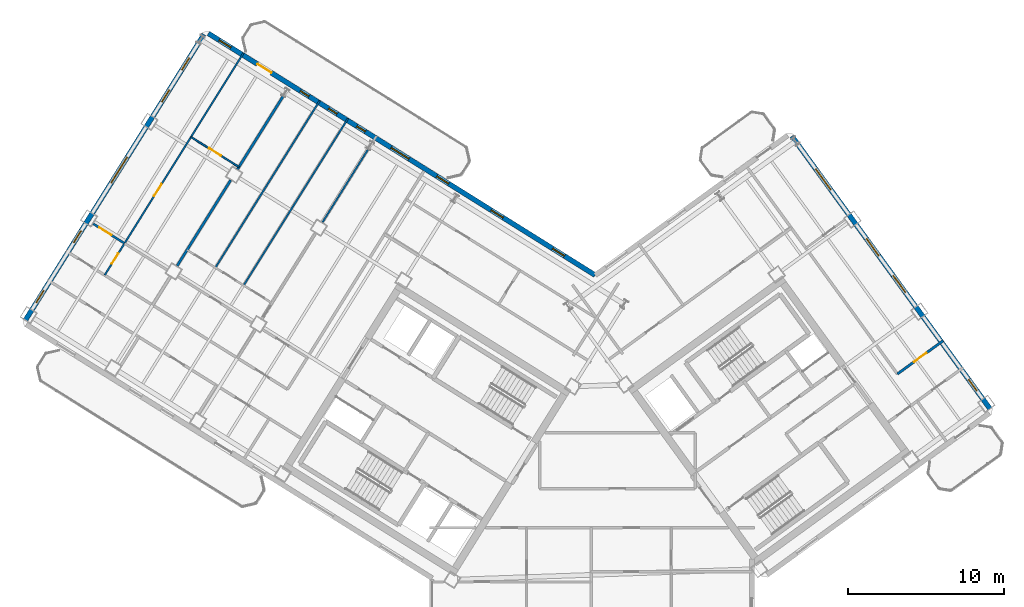
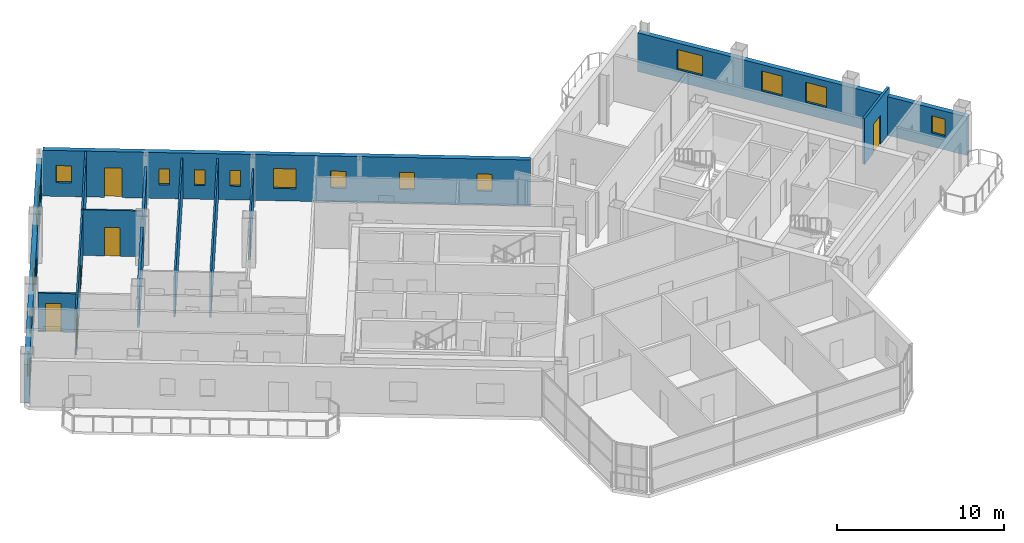
# One storey, part 15 of 20: 17 windows, 12 walls, 6 doors, 23 openings.
"""IFC4 building model written with IfcOpenShell, lengths in metres."""

from ifc_helpers import new_model, si_unit, direction, frame, frame_2d, origin, place, context, subcontext, project, spatial, rectangle, extrude, source, transform, mapped, material, layer, layer_set, type_object, element, fill, save


model = new_model("IFC4")

# Units and contexts
model_context = context("Model", 3, precision=1e-05, world=origin(), true_north=direction((0.0, 1.0)))
body_context = subcontext(model_context, "Body", "Model", "MODEL_VIEW")
ifc_project = project(units=[si_unit("LENGTHUNIT", "METRE"), si_unit("AREAUNIT", "SQUARE_METRE"), si_unit("VOLUMEUNIT", "CUBIC_METRE"), si_unit("PLANEANGLEUNIT", "RADIAN"), si_unit("MASSUNIT", "GRAM", prefix="KILO")], contexts=[model_context])

# Site, building, storey
site_placement = place(None, origin())
site = spatial("IfcSite", under=ifc_project, at=site_placement, CompositionType="ELEMENT")
building_placement = place(site_placement, origin())
building = spatial("IfcBuilding", under=site, at=building_placement, Name="Tlacorven Tower", CompositionType="ELEMENT")
storey_placement = place(building_placement, frame((0.0, 0.0, 225.60009765625)))
storey = spatial("IfcBuildingStorey", under=building, at=storey_placement, Name="L57", CompositionType="ELEMENT", Elevation=225.60009765625)

# Walls
ifc_material_1 = material(Name="Gypsum plasterboard acoustic partition", Category="gypsum")
ifc_layer_1 = layer(ifc_material_1, 0.159912109375)
ifc_layer_set_1 = layer_set([ifc_layer_1], Name="Gypsum plasterboard acoustic partition")
wall_type_1 = type_object("IfcWallType", Name="WL-DEM-160", PredefinedType="PARTITIONING", material=ifc_layer_set_1)
wall_1_placement = place(storey_placement, frame((22.206298828125, 43.048828125, 0.0), z_axis=(0.0, 0.0, 1.0), x_axis=(-0.529919150083, -0.848048167486, 0.0)))
element("IfcWall", 1, at=wall_1_placement, inside=storey, type_object=wall_type_1, Name="L57 WS Demising Wall 1", PredefinedType="PARTITIONING", context=body_context, shape_type="SweptSolid", body=[
    extrude(rectangle(XDim=5.5009765625, YDim=0.159912109375, at=frame_2d((2.75048828125, 0.0))), origin(), (0.0, 0.0, 1.0), 2.824951171875),
])
wall_2_placement = place(storey_placement, frame((18.8544921875, 37.684814453125, 0.0), z_axis=(0.0, 0.0, 1.0), x_axis=(-0.529907440938, -0.848055484057, 0.0)))
element("IfcWall", 2, at=wall_2_placement, inside=storey, type_object=wall_type_1, Name="L57 WS Demising Wall 1", PredefinedType="PARTITIONING", context=body_context, shape_type="SweptSolid", body=[
    extrude(rectangle(XDim=6.475830078125, YDim=0.159912109375, at=frame_2d((3.23779296875, 0.0))), origin(), (0.0, 0.0, 1.0), 2.824951171875),
])

# Wall, opening, door
wall_3_placement = place(storey_placement, frame((61.564208984375, 25.266357421875, 0.0), z_axis=(0.0, 0.0, 1.0), x_axis=(0.809012309495, 0.587791700422, 0.0)))
wall_3 = element("IfcWall", 3, at=wall_3_placement, inside=storey, type_object=wall_type_1, Name="L57 partition 84", PredefinedType="PARTITIONING", context=body_context, shape_type="SweptSolid", body=[
    extrude(rectangle(XDim=3.6298828125, YDim=0.159912109375, at=frame_2d((1.81494140625, 0.0))), origin(), (0.0, 0.0, 1.0), 3.33984375),
])
opening_1_placement = place(wall_3_placement, frame((1.304931640625, 0.0, 0.0)))
opening_1 = element("IfcOpeningElement", 4, at=opening_1_placement, cuts=wall_3, Name="Opening D11", PredefinedType="OPENING", context=body_context, shape_type="SweptSolid", body=[
    extrude(rectangle(XDim=1.0, YDim=2.10009765625, at=frame_2d((0.5, 1.050048828125))), frame((0.0, 0.08984375, 0.0), z_axis=(0.0, -1.0, 0.0), x_axis=(1.0, 0.0, 0.0)), (0.0, 0.0, 1.0), 0.179931640625),
])
ifc_material_2 = material(Name="Fire-rated steel door assembly", Category="steel")
door_type_1 = type_object("IfcDoorType", Name="DR-FLT-FD60-1000", OperationType="NOTDEFINED", PredefinedType="DOOR", material=ifc_material_2)
shared_shape_1 = source(origin(), body_context, "Body", "SweptSolid", [
    extrude(rectangle(XDim=1.0, YDim=2.10009765625, at=frame_2d((0.5, 1.050048828125))), frame((0.0, 0.02490234375, 0.0), z_axis=(0.0, -1.0, 0.0), x_axis=(1.0, 0.0, 0.0)), (0.0, 0.0, 1.0), 0.050048828125),
])
door_1_placement = place(opening_1_placement, origin())
door_1 = element("IfcDoor", 5, at=door_1_placement, inside=storey, type_object=door_type_1, Name="L57 door 055", OperationType="SINGLE_SWING_LEFT", OverallHeight=2.10009765625, OverallWidth=1.0, PredefinedType="DOOR", context=body_context, shape_type="MappedRepresentation", body=[
    mapped(shared_shape_1, transform((0.0, 0.0, 0.0), scale=1.0)),
])
fill(opening_1, door_1)

# Wall, openings, windows
ifc_material_3 = material(Name="Precast concrete C45/55", Category="concrete")
ifc_layer_2 = layer(ifc_material_3, 0.320068359375)
ifc_layer_set_2 = layer_set([ifc_layer_2], Name="Precast concrete C45/55")
wall_type_2 = type_object("IfcWallType", Name="WL-EXT-320", PredefinedType="STANDARD", material=ifc_layer_set_2)
wall_4_placement = place(storey_placement, frame((5.699951171875, 28.71044921875, 0.0), z_axis=(0.0, 0.0, 1.0), x_axis=(0.529923711467, 0.8480453172, 0.0)))
wall_4 = element("IfcWall", 6, at=wall_4_placement, inside=storey, type_object=wall_type_2, Name="L57 Masonry-Frame Recessed Facade Wall 2", PredefinedType="STANDARD", context=body_context, shape_type="SweptSolid", body=[
    extrude(rectangle(XDim=21.58740234375, YDim=0.320068359375, at=frame_2d((10.793701171875, 0.0))), origin(), (0.0, 0.0, 1.0), 2.824951171875),
])
opening_2_placement = place(wall_4_placement, frame((1.32861328125, 0.0, 1.0)))
opening_2 = element("IfcOpeningElement", 7, at=opening_2_placement, cuts=wall_4, Name="Opening WN05", PredefinedType="OPENING", context=body_context, shape_type="SweptSolid", body=[
    extrude(rectangle(XDim=0.89990234375, YDim=1.25, at=frame_2d((0.449951171875, 0.625))), frame((0.0, 0.169921875, 0.0), z_axis=(0.0, -1.0, 0.0), x_axis=(1.0, 0.0, 0.0)), (0.0, 0.0, 1.0), 0.340087890625),
])
opening_3_placement = place(wall_4_placement, frame((5.858642578125, 0.0, 1.0)))
opening_3 = element("IfcOpeningElement", 8, at=opening_3_placement, cuts=wall_4, Name="Opening WN05", PredefinedType="OPENING", context=body_context, shape_type="SweptSolid", body=[
    extrude(rectangle(XDim=0.89990234375, YDim=1.25, at=frame_2d((0.449951171875, 0.625))), frame((0.0, 0.169921875, 0.0), z_axis=(0.0, -1.0, 0.0), x_axis=(1.0, 0.0, 0.0)), (0.0, 0.0, 1.0), 0.340087890625),
])
opening_4_placement = place(wall_4_placement, frame((10.36865234375, 0.0, 0.949951171875)))
opening_4 = element("IfcOpeningElement", 9, at=opening_4_placement, cuts=wall_4, Name="Opening WN09", PredefinedType="OPENING", context=body_context, shape_type="SweptSolid", body=[
    extrude(rectangle(XDim=1.949951171875, YDim=1.35009765625, at=frame_2d((0.97509765625, 0.675048828125))), frame((0.0, 0.169921875, 0.0), z_axis=(0.0, -1.0, 0.0), x_axis=(1.0, 0.0, 0.0)), (0.0, 0.0, 1.0), 0.340087890625),
])
opening_5_placement = place(wall_4_placement, frame((16.5, 0.0, 1.0)))
opening_5 = element("IfcOpeningElement", 10, at=opening_5_placement, cuts=wall_4, Name="Opening WN05", PredefinedType="OPENING", context=body_context, shape_type="SweptSolid", body=[
    extrude(rectangle(XDim=0.89990234375, YDim=1.25, at=frame_2d((0.449951171875, 0.625))), frame((0.0, 0.169921875, 0.0), z_axis=(0.0, -1.0, 0.0), x_axis=(1.0, 0.0, 0.0)), (0.0, 0.0, 1.0), 0.340087890625),
])
opening_6_placement = place(wall_4_placement, frame((18.91259765625, 0.0, 1.0)))
opening_6 = element("IfcOpeningElement", 11, at=opening_6_placement, cuts=wall_4, Name="Opening WN05", PredefinedType="OPENING", context=body_context, shape_type="SweptSolid", body=[
    extrude(rectangle(XDim=0.89990234375, YDim=1.25, at=frame_2d((0.449951171875, 0.625))), frame((0.0, 0.169921875, 0.0), z_axis=(0.0, -1.0, 0.0), x_axis=(1.0, 0.0, 0.0)), (0.0, 0.0, 1.0), 0.340087890625),
])
ifc_material_4 = material(Name="Dark solar low-E double glazing in anodised aluminium frame", Category="aluminium")
window_type_1 = type_object("IfcWindowType", Name="WN-APT-0900X1350", PartitioningType="SINGLE_PANEL", PredefinedType="WINDOW", material=ifc_material_4)
shared_shape_2 = source(origin(), body_context, "Body", "SweptSolid", [
    extrude(rectangle(XDim=0.89990234375, YDim=1.25, at=frame_2d((0.449951171875, 0.625))), frame((0.0, 0.030029296875, 0.0), z_axis=(0.0, -1.0, 0.0), x_axis=(1.0, 0.0, 0.0)), (0.0, 0.0, 1.0), 0.06005859375),
])
window_1_placement = place(opening_2_placement, origin())
window_1 = element("IfcWindow", 12, at=window_1_placement, inside=storey, type_object=window_type_1, Name="L57 Recessed Masonry-Frame Window L57-02.1", OverallHeight=1.25, OverallWidth=0.89990234375, PartitioningType="SINGLE_PANEL", PredefinedType="WINDOW", context=body_context, shape_type="MappedRepresentation", body=[
    mapped(shared_shape_2, transform((0.0, 0.0, 0.0), scale=1.0)),
])
fill(opening_2, window_1)
window_2_placement = place(opening_3_placement, origin())
window_2 = element("IfcWindow", 13, at=window_2_placement, inside=storey, type_object=window_type_1, Name="L57 Recessed Masonry-Frame Window L57-02.2", OverallHeight=1.25, OverallWidth=0.89990234375, PartitioningType="SINGLE_PANEL", PredefinedType="WINDOW", context=body_context, shape_type="MappedRepresentation", body=[
    mapped(shared_shape_2, transform((0.0, 0.0, 0.0), scale=1.0)),
])
fill(opening_3, window_2)
window_3_placement = place(opening_5_placement, origin())
window_3 = element("IfcWindow", 14, at=window_3_placement, inside=storey, type_object=window_type_1, Name="L57 Recessed Masonry-Frame Window L57-02.4", OverallHeight=1.25, OverallWidth=0.89990234375, PartitioningType="SINGLE_PANEL", PredefinedType="WINDOW", context=body_context, shape_type="MappedRepresentation", body=[
    mapped(shared_shape_2, transform((0.0, 0.0, 0.0), scale=1.0)),
])
fill(opening_5, window_3)
window_4_placement = place(opening_6_placement, origin())
window_4 = element("IfcWindow", 15, at=window_4_placement, inside=storey, type_object=window_type_1, Name="L57 Recessed Masonry-Frame Window L57-02.5", OverallHeight=1.25, OverallWidth=0.89990234375, PartitioningType="SINGLE_PANEL", PredefinedType="WINDOW", context=body_context, shape_type="MappedRepresentation", body=[
    mapped(shared_shape_2, transform((0.0, 0.0, 0.0), scale=1.0)),
])
fill(opening_6, window_4)
window_type_2 = type_object("IfcWindowType", Name="WN-GAL-1950X1450", PartitioningType="SINGLE_PANEL", PredefinedType="WINDOW", material=ifc_material_4)
shared_shape_3 = source(origin(), body_context, "Body", "SweptSolid", [
    extrude(rectangle(XDim=1.949951171875, YDim=1.35009765625, at=frame_2d((0.97509765625, 0.675048828125))), frame((0.0, 0.030029296875, 0.0), z_axis=(0.0, -1.0, 0.0), x_axis=(1.0, 0.0, 0.0)), (0.0, 0.0, 1.0), 0.06005859375),
])
window_5_placement = place(opening_4_placement, origin())
window_5 = element("IfcWindow", 16, at=window_5_placement, inside=storey, type_object=window_type_2, Name="L57 Recessed Masonry-Frame Window L57-02.3", OverallHeight=1.35009765625, OverallWidth=1.949951171875, PartitioningType="SINGLE_PANEL", PredefinedType="WINDOW", context=body_context, shape_type="MappedRepresentation", body=[
    mapped(shared_shape_3, transform((0.0, 0.0, 0.0), scale=1.0)),
])
fill(opening_4, window_5)

# Wall, openings, door, windows
wall_5_placement = place(storey_placement, frame((17.423828125, 47.083251953125, 0.0), z_axis=(0.0, 0.0, 1.0), x_axis=(0.848049927979, -0.529916332693, 0.0)))
wall_5 = element("IfcWall", 17, at=wall_5_placement, inside=storey, type_object=wall_type_2, Name="L57 Masonry-Frame Recessed Facade Wall 3", PredefinedType="STANDARD", context=body_context, shape_type="SweptSolid", body=[
    extrude(rectangle(XDim=29.22314453125, YDim=0.320068359375, at=frame_2d((14.611572265625, 0.0))), origin(), (0.0, 0.0, 1.0), 3.349853515625),
])
opening_7_placement = place(wall_5_placement, frame((3.708740234375, 0.0, 0.0)))
opening_7 = element("IfcOpeningElement", 18, at=opening_7_placement, cuts=wall_5, Name="Opening D06", PredefinedType="OPENING", context=body_context, shape_type="SweptSolid", body=[
    extrude(rectangle(XDim=1.050048828125, YDim=2.14990234375, at=frame_2d((0.52490234375, 1.074951171875))), frame((0.0, 0.169921875, 0.0), z_axis=(0.0, -1.0, 0.0), x_axis=(1.0, 0.0, 0.0)), (0.0, 0.0, 1.0), 0.340087890625),
])
opening_8_placement = place(wall_5_placement, frame((0.809326171875, 0.0, 1.0)))
opening_8 = element("IfcOpeningElement", 19, at=opening_8_placement, cuts=wall_5, Name="Opening WN05", PredefinedType="OPENING", context=body_context, shape_type="SweptSolid", body=[
    extrude(rectangle(XDim=0.89990234375, YDim=1.25, at=frame_2d((0.449951171875, 0.625))), frame((0.0, 0.169921875, 0.0), z_axis=(0.0, -1.0, 0.0), x_axis=(1.0, 0.0, 0.0)), (0.0, 0.0, 1.0), 0.340087890625),
])
opening_9_placement = place(wall_5_placement, frame((13.811279296875, 0.0, 0.89990234375)))
opening_9 = element("IfcOpeningElement", 20, at=opening_9_placement, cuts=wall_5, Name="Opening WN08", PredefinedType="OPENING", context=body_context, shape_type="SweptSolid", body=[
    extrude(rectangle(XDim=1.35009765625, YDim=1.449951171875, at=frame_2d((0.675048828125, 0.72509765625))), frame((0.0, 0.169921875, 0.0), z_axis=(0.0, -1.0, 0.0), x_axis=(1.0, 0.0, 0.0)), (0.0, 0.0, 1.0), 0.340087890625),
])
opening_10_placement = place(wall_5_placement, frame((17.253662109375, 0.0, 1.0)))
opening_10 = element("IfcOpeningElement", 21, at=opening_10_placement, cuts=wall_5, Name="Opening WN05", PredefinedType="OPENING", context=body_context, shape_type="SweptSolid", body=[
    extrude(rectangle(XDim=0.89990234375, YDim=1.25, at=frame_2d((0.449951171875, 0.625))), frame((0.0, 0.169921875, 0.0), z_axis=(0.0, -1.0, 0.0), x_axis=(1.0, 0.0, 0.0)), (0.0, 0.0, 1.0), 0.340087890625),
])
opening_11_placement = place(wall_5_placement, frame((21.363525390625, 0.0, 1.0)))
opening_11 = element("IfcOpeningElement", 22, at=opening_11_placement, cuts=wall_5, Name="Opening WN05", PredefinedType="OPENING", context=body_context, shape_type="SweptSolid", body=[
    extrude(rectangle(XDim=0.89990234375, YDim=1.25, at=frame_2d((0.449951171875, 0.625))), frame((0.0, 0.169921875, 0.0), z_axis=(0.0, -1.0, 0.0), x_axis=(1.0, 0.0, 0.0)), (0.0, 0.0, 1.0), 0.340087890625),
])
opening_12_placement = place(wall_5_placement, frame((26.00341796875, 0.0, 1.0)))
opening_12 = element("IfcOpeningElement", 23, at=opening_12_placement, cuts=wall_5, Name="Opening WN05", PredefinedType="OPENING", context=body_context, shape_type="SweptSolid", body=[
    extrude(rectangle(XDim=0.89990234375, YDim=1.25, at=frame_2d((0.449951171875, 0.625))), frame((0.0, 0.169921875, 0.0), z_axis=(0.0, -1.0, 0.0), x_axis=(1.0, 0.0, 0.0)), (0.0, 0.0, 1.0), 0.340087890625),
])
opening_13_placement = place(wall_5_placement, frame((11.211181640625, 0.0, 1.0)))
opening_13 = element("IfcOpeningElement", 24, at=opening_13_placement, cuts=wall_5, Name="Opening WN21", PredefinedType="OPENING", context=body_context, shape_type="SweptSolid", body=[
    extrude(rectangle(XDim=0.64990234375, YDim=1.14990234375, at=frame_2d((0.324951171875, 0.574951171875))), frame((0.0, 0.169921875, 0.0), z_axis=(0.0, -1.0, 0.0), x_axis=(1.0, 0.0, 0.0)), (0.0, 0.0, 1.0), 0.340087890625),
])
opening_14_placement = place(wall_5_placement, frame((9.07861328125, 0.0, 1.0)))
opening_14 = element("IfcOpeningElement", 25, at=opening_14_placement, cuts=wall_5, Name="Opening WN21", PredefinedType="OPENING", context=body_context, shape_type="SweptSolid", body=[
    extrude(rectangle(XDim=0.64990234375, YDim=1.14990234375, at=frame_2d((0.324951171875, 0.574951171875))), frame((0.0, 0.169921875, 0.0), z_axis=(0.0, -1.0, 0.0), x_axis=(1.0, 0.0, 0.0)), (0.0, 0.0, 1.0), 0.340087890625),
])
opening_15_placement = place(wall_5_placement, frame((6.951171875, 0.0, 1.0)))
opening_15 = element("IfcOpeningElement", 26, at=opening_15_placement, cuts=wall_5, Name="Opening WN21", PredefinedType="OPENING", context=body_context, shape_type="SweptSolid", body=[
    extrude(rectangle(XDim=0.64990234375, YDim=1.14990234375, at=frame_2d((0.324951171875, 0.574951171875))), frame((0.0, 0.169921875, 0.0), z_axis=(0.0, -1.0, 0.0), x_axis=(1.0, 0.0, 0.0)), (0.0, 0.0, 1.0), 0.340087890625),
])
ifc_material_5 = material(Name="Powder-coated aluminium and timber door", Category="wood")
door_type_2 = type_object("IfcDoorType", Name="DR-EXT-BALC-1050", OperationType="NOTDEFINED", PredefinedType="DOOR", material=ifc_material_5)
shared_shape_4 = source(origin(), body_context, "Body", "SweptSolid", [
    extrude(rectangle(XDim=1.050048828125, YDim=2.14990234375, at=frame_2d((0.52490234375, 1.074951171875))), frame((0.0, 0.02490234375, 0.0), z_axis=(0.0, -1.0, 0.0), x_axis=(1.0, 0.0, 0.0)), (0.0, 0.0, 1.0), 0.050048828125),
])
door_2_placement = place(opening_7_placement, origin())
door_2 = element("IfcDoor", 27, at=door_2_placement, inside=storey, type_object=door_type_2, Name="L57 Outdoor Access Door BAL-L57-W-IN", OperationType="SINGLE_SWING_RIGHT", OverallHeight=2.14990234375, OverallWidth=1.050048828125, PredefinedType="DOOR", context=body_context, shape_type="MappedRepresentation", body=[
    mapped(shared_shape_4, transform((0.0, 0.0, 0.0), scale=1.0)),
])
fill(opening_7, door_2)
window_6_placement = place(opening_8_placement, origin())
window_6 = element("IfcWindow", 28, at=window_6_placement, inside=storey, type_object=window_type_1, Name="L57 Recessed Masonry-Frame Window L57-03.1", OverallHeight=1.25, OverallWidth=0.89990234375, PartitioningType="SINGLE_PANEL", PredefinedType="WINDOW", context=body_context, shape_type="MappedRepresentation", body=[
    mapped(shared_shape_2, transform((0.0, 0.0, 0.0), scale=1.0)),
])
fill(opening_8, window_6)
window_7_placement = place(opening_10_placement, origin())
window_7 = element("IfcWindow", 29, at=window_7_placement, inside=storey, type_object=window_type_1, Name="L57 Recessed Masonry-Frame Window L57-03.3", OverallHeight=1.25, OverallWidth=0.89990234375, PartitioningType="SINGLE_PANEL", PredefinedType="WINDOW", context=body_context, shape_type="MappedRepresentation", body=[
    mapped(shared_shape_2, transform((0.0, 0.0, 0.0), scale=1.0)),
])
fill(opening_10, window_7)
window_8_placement = place(opening_11_placement, origin())
window_8 = element("IfcWindow", 30, at=window_8_placement, inside=storey, type_object=window_type_1, Name="L57 Recessed Masonry-Frame Window L57-03.4", OverallHeight=1.25, OverallWidth=0.89990234375, PartitioningType="SINGLE_PANEL", PredefinedType="WINDOW", context=body_context, shape_type="MappedRepresentation", body=[
    mapped(shared_shape_2, transform((0.0, 0.0, 0.0), scale=1.0)),
])
fill(opening_11, window_8)
window_9_placement = place(opening_12_placement, origin())
window_9 = element("IfcWindow", 31, at=window_9_placement, inside=storey, type_object=window_type_1, Name="L57 Recessed Masonry-Frame Window L57-03.5", OverallHeight=1.25, OverallWidth=0.89990234375, PartitioningType="SINGLE_PANEL", PredefinedType="WINDOW", context=body_context, shape_type="MappedRepresentation", body=[
    mapped(shared_shape_2, transform((0.0, 0.0, 0.0), scale=1.0)),
])
fill(opening_12, window_9)
window_type_3 = type_object("IfcWindowType", Name="WN-APT-0650X1150", PartitioningType="SINGLE_PANEL", PredefinedType="WINDOW", material=ifc_material_4)
shared_shape_5 = source(origin(), body_context, "Body", "SweptSolid", [
    extrude(rectangle(XDim=0.64990234375, YDim=1.14990234375, at=frame_2d((0.324951171875, 0.574951171875))), frame((0.0, 0.030029296875, 0.0), z_axis=(0.0, -1.0, 0.0), x_axis=(1.0, 0.0, 0.0)), (0.0, 0.0, 1.0), 0.06005859375),
])
window_10_placement = place(opening_13_placement, origin())
window_10 = element("IfcWindow", 32, at=window_10_placement, inside=storey, type_object=window_type_3, Name="L57 Dwelling Daylight Window L57-U01-BD1", OverallHeight=1.14990234375, OverallWidth=0.64990234375, PartitioningType="SINGLE_PANEL", PredefinedType="WINDOW", context=body_context, shape_type="MappedRepresentation", body=[
    mapped(shared_shape_5, transform((0.0, 0.0, 0.0), scale=1.0)),
])
fill(opening_13, window_10)
window_11_placement = place(opening_14_placement, origin())
window_11 = element("IfcWindow", 33, at=window_11_placement, inside=storey, type_object=window_type_3, Name="L57 Dwelling Daylight Window L57-U01-BD2", OverallHeight=1.14990234375, OverallWidth=0.64990234375, PartitioningType="SINGLE_PANEL", PredefinedType="WINDOW", context=body_context, shape_type="MappedRepresentation", body=[
    mapped(shared_shape_5, transform((0.0, 0.0, 0.0), scale=1.0)),
])
fill(opening_14, window_11)
window_12_placement = place(opening_15_placement, origin())
window_12 = element("IfcWindow", 34, at=window_12_placement, inside=storey, type_object=window_type_3, Name="L57 Dwelling Daylight Window L57-U01-BD3", OverallHeight=1.14990234375, OverallWidth=0.64990234375, PartitioningType="SINGLE_PANEL", PredefinedType="WINDOW", context=body_context, shape_type="MappedRepresentation", body=[
    mapped(shared_shape_5, transform((0.0, 0.0, 0.0), scale=1.0)),
])
fill(opening_15, window_12)
window_type_4 = type_object("IfcWindowType", Name="WN-APT-1350X1550", PartitioningType="SINGLE_PANEL", PredefinedType="WINDOW", material=ifc_material_4)
shared_shape_6 = source(origin(), body_context, "Body", "SweptSolid", [
    extrude(rectangle(XDim=1.35009765625, YDim=1.449951171875, at=frame_2d((0.675048828125, 0.72509765625))), frame((0.0, 0.030029296875, 0.0), z_axis=(0.0, -1.0, 0.0), x_axis=(1.0, 0.0, 0.0)), (0.0, 0.0, 1.0), 0.06005859375),
])
window_13_placement = place(opening_9_placement, origin())
window_13 = element("IfcWindow", 35, at=window_13_placement, inside=storey, type_object=window_type_4, Name="L57 Recessed Masonry-Frame Window L57-03.2", OverallHeight=1.449951171875, OverallWidth=1.35009765625, PartitioningType="SINGLE_PANEL", PredefinedType="WINDOW", context=body_context, shape_type="MappedRepresentation", body=[
    mapped(shared_shape_6, transform((0.0, 0.0, 0.0), scale=1.0)),
])
fill(opening_9, window_13)

# Wall, openings, windows
wall_6_placement = place(storey_placement, frame((54.810302734375, 40.49951171875, 0.0), z_axis=(0.0, 0.0, 1.0), x_axis=(0.587783625747, -0.809018176127, 0.0)))
wall_6 = element("IfcWall", 36, at=wall_6_placement, inside=storey, type_object=wall_type_2, Name="L57 Masonry-Frame Recessed Facade Wall 5", PredefinedType="STANDARD", context=body_context, shape_type="SweptSolid", body=[
    extrude(rectangle(XDim=21.58740234375, YDim=0.320068359375, at=frame_2d((10.793701171875, 0.0))), origin(), (0.0, 0.0, 1.0), 2.824951171875),
])
opening_16_placement = place(wall_6_placement, frame((2.5927734375, 0.0, 0.89990234375)))
opening_16 = element("IfcOpeningElement", 37, at=opening_16_placement, cuts=wall_6, Name="Opening WN07", PredefinedType="OPENING", context=body_context, shape_type="SweptSolid", body=[
    extrude(rectangle(XDim=1.64990234375, YDim=1.449951171875, at=frame_2d((0.824951171875, 0.72509765625))), frame((0.0, 0.169921875, 0.0), z_axis=(0.0, -1.0, 0.0), x_axis=(1.0, 0.0, 0.0)), (0.0, 0.0, 1.0), 0.340087890625),
])
opening_17_placement = place(wall_6_placement, frame((8.11865234375, 0.0, 0.89990234375)))
opening_17 = element("IfcOpeningElement", 38, at=opening_17_placement, cuts=wall_6, Name="Opening WN08", PredefinedType="OPENING", context=body_context, shape_type="SweptSolid", body=[
    extrude(rectangle(XDim=1.35009765625, YDim=1.449951171875, at=frame_2d((0.675048828125, 0.72509765625))), frame((0.0, 0.169921875, 0.0), z_axis=(0.0, -1.0, 0.0), x_axis=(1.0, 0.0, 0.0)), (0.0, 0.0, 1.0), 0.340087890625),
])
opening_18_placement = place(wall_6_placement, frame((11.018798828125, 0.0, 0.89990234375)))
opening_18 = element("IfcOpeningElement", 39, at=opening_18_placement, cuts=wall_6, Name="Opening WN08", PredefinedType="OPENING", context=body_context, shape_type="SweptSolid", body=[
    extrude(rectangle(XDim=1.35009765625, YDim=1.449951171875, at=frame_2d((0.675048828125, 0.72509765625))), frame((0.0, 0.169921875, 0.0), z_axis=(0.0, -1.0, 0.0), x_axis=(1.0, 0.0, 0.0)), (0.0, 0.0, 1.0), 0.340087890625),
])
opening_19_placement = place(wall_6_placement, frame((19.2587890625, 0.0, 1.0)))
opening_19 = element("IfcOpeningElement", 40, at=opening_19_placement, cuts=wall_6, Name="Opening WN05", PredefinedType="OPENING", context=body_context, shape_type="SweptSolid", body=[
    extrude(rectangle(XDim=0.89990234375, YDim=1.25, at=frame_2d((0.449951171875, 0.625))), frame((0.0, 0.169921875, 0.0), z_axis=(0.0, -1.0, 0.0), x_axis=(1.0, 0.0, 0.0)), (0.0, 0.0, 1.0), 0.340087890625),
])
window_14_placement = place(opening_19_placement, origin())
window_14 = element("IfcWindow", 41, at=window_14_placement, inside=storey, type_object=window_type_1, Name="L57 Recessed Masonry-Frame Window L57-05.4", OverallHeight=1.25, OverallWidth=0.89990234375, PartitioningType="SINGLE_PANEL", PredefinedType="WINDOW", context=body_context, shape_type="MappedRepresentation", body=[
    mapped(shared_shape_2, transform((0.0, 0.0, 0.0), scale=1.0)),
])
fill(opening_19, window_14)
window_type_5 = type_object("IfcWindowType", Name="WN-APT-1650X1600", PartitioningType="SINGLE_PANEL", PredefinedType="WINDOW", material=ifc_material_4)
shared_shape_7 = source(origin(), body_context, "Body", "SweptSolid", [
    extrude(rectangle(XDim=1.64990234375, YDim=1.449951171875, at=frame_2d((0.824951171875, 0.72509765625))), frame((0.0, 0.030029296875, 0.0), z_axis=(0.0, -1.0, 0.0), x_axis=(1.0, 0.0, 0.0)), (0.0, 0.0, 1.0), 0.06005859375),
])
window_15_placement = place(opening_16_placement, origin())
window_15 = element("IfcWindow", 42, at=window_15_placement, inside=storey, type_object=window_type_5, Name="L57 Recessed Masonry-Frame Window L57-05.1", OverallHeight=1.449951171875, OverallWidth=1.64990234375, PartitioningType="SINGLE_PANEL", PredefinedType="WINDOW", context=body_context, shape_type="MappedRepresentation", body=[
    mapped(shared_shape_7, transform((0.0, 0.0, 0.0), scale=1.0)),
])
fill(opening_16, window_15)
window_16_placement = place(opening_17_placement, origin())
window_16 = element("IfcWindow", 43, at=window_16_placement, inside=storey, type_object=window_type_4, Name="L57 Recessed Masonry-Frame Window L57-05.2", OverallHeight=1.449951171875, OverallWidth=1.35009765625, PartitioningType="SINGLE_PANEL", PredefinedType="WINDOW", context=body_context, shape_type="MappedRepresentation", body=[
    mapped(shared_shape_6, transform((0.0, 0.0, 0.0), scale=1.0)),
])
fill(opening_17, window_16)
window_17_placement = place(opening_18_placement, origin())
window_17 = element("IfcWindow", 44, at=window_17_placement, inside=storey, type_object=window_type_4, Name="L57 Recessed Masonry-Frame Window L57-05.3", OverallHeight=1.449951171875, OverallWidth=1.35009765625, PartitioningType="SINGLE_PANEL", PredefinedType="WINDOW", context=body_context, shape_type="MappedRepresentation", body=[
    mapped(shared_shape_6, transform((0.0, 0.0, 0.0), scale=1.0)),
])
fill(opening_18, window_17)

# Walls
ifc_material_6 = material(Name="Gypsum plasterboard partition", Category="gypsum")
ifc_layer_3 = layer(ifc_material_6, 0.110107421875)
ifc_layer_set_3 = layer_set([ifc_layer_3], Name="Gypsum plasterboard partition")
wall_type_3 = type_object("IfcWallType", Name="WL-INT-110", PredefinedType="PARTITIONING", material=ifc_layer_set_3)
wall_7_placement = place(storey_placement, frame((27.65087890625, 39.646728515625, 0.0), z_axis=(0.0, 0.0, 1.0), x_axis=(-0.529919150083, -0.848048167486, 0.0)))
element("IfcWall", 45, at=wall_7_placement, inside=storey, type_object=wall_type_3, Name="L57 partition 45", PredefinedType="PARTITIONING", context=body_context, shape_type="SweptSolid", body=[
    extrude(rectangle(XDim=5.5009765625, YDim=0.110107421875, at=frame_2d((2.75048828125, 0.0))), origin(), (0.0, 0.0, 1.0), 2.824951171875),
])
wall_8_placement = place(storey_placement, frame((26.36962890625, 41.634765625, 0.0), z_axis=(0.0, 0.0, 1.0), x_axis=(-0.529925845384, -0.848043983761, 0.0)))
element("IfcWall", 46, at=wall_8_placement, inside=storey, type_object=wall_type_3, Name="L57 partition 50", PredefinedType="PARTITIONING", context=body_context, shape_type="SweptSolid", body=[
    extrude(rectangle(XDim=12.610107421875, YDim=0.110107421875, at=frame_2d((6.30517578125, 0.0))), origin(), (0.0, 0.0, 1.0), 2.994873046875),
])
wall_9_placement = place(storey_placement, frame((24.5546875, 42.768798828125, 0.0), z_axis=(0.0, 0.0, 1.0), x_axis=(-0.529911921261, -0.848052684511, 0.0)))
element("IfcWall", 47, at=wall_9_placement, inside=storey, type_object=wall_type_3, Name="L57 partition 51", PredefinedType="PARTITIONING", context=body_context, shape_type="SweptSolid", body=[
    extrude(rectangle(XDim=12.60986328125, YDim=0.110107421875, at=frame_2d((6.304931640625, 0.0))), origin(), (0.0, 0.0, 1.0), 2.994873046875),
])

# Wall, openings, doors
wall_10_placement = place(storey_placement, frame((19.669921875, 45.821044921875, 0.0), z_axis=(0.0, 0.0, 1.0), x_axis=(-0.529920421309, -0.848047373134, 0.0)))
wall_10 = element("IfcWall", 48, at=wall_10_placement, inside=storey, type_object=wall_type_3, Name="L57 partition 52", PredefinedType="PARTITIONING", context=body_context, shape_type="SweptSolid", body=[
    extrude(rectangle(XDim=16.77001953125, YDim=0.110107421875, at=frame_2d((8.385009765625, 0.0))), origin(), (0.0, 0.0, 1.0), 3.33984375),
])
opening_20_placement = place(wall_10_placement, frame((15.1298828125, 0.0, 0.0)))
opening_20 = element("IfcOpeningElement", 49, at=opening_20_placement, cuts=wall_10, Name="Opening D22", PredefinedType="OPENING", context=body_context, shape_type="SweptSolid", body=[
    extrude(rectangle(XDim=0.780029296875, YDim=2.050048828125, at=frame_2d((0.39013671875, 1.02490234375))), frame((0.0, 0.06494140625, 0.0), z_axis=(0.0, -1.0, 0.0), x_axis=(1.0, 0.0, 0.0)), (0.0, 0.0, 1.0), 0.130126953125),
])
opening_21_placement = place(wall_10_placement, frame((9.883544921875, 0.0, 0.0)))
opening_21 = element("IfcOpeningElement", 50, at=opening_21_placement, cuts=wall_10, Name="Opening D12", PredefinedType="OPENING", context=body_context, shape_type="SweptSolid", body=[
    extrude(rectangle(XDim=0.919921875, YDim=2.080078125, at=frame_2d((0.4599609375, 1.0400390625))), frame((0.0, 0.06494140625, 0.0), z_axis=(0.0, -1.0, 0.0), x_axis=(1.0, 0.0, 0.0)), (0.0, 0.0, 1.0), 0.130126953125),
])
door_type_3 = type_object("IfcDoorType", Name="DR-INT-WET-0780", OperationType="NOTDEFINED", PredefinedType="DOOR", material=ifc_material_5)
shared_shape_8 = source(origin(), body_context, "Body", "SweptSolid", [
    extrude(rectangle(XDim=0.780029296875, YDim=2.050048828125, at=frame_2d((0.39013671875, 1.02490234375))), frame((0.0, 0.02490234375, 0.0), z_axis=(0.0, -1.0, 0.0), x_axis=(1.0, 0.0, 0.0)), (0.0, 0.0, 1.0), 0.050048828125),
])
door_3_placement = place(opening_20_placement, origin())
door_3 = element("IfcDoor", 51, at=door_3_placement, inside=storey, type_object=door_type_3, Name="L57 door 034", OperationType="SINGLE_SWING_RIGHT", OverallHeight=2.050048828125, OverallWidth=0.780029296875, PredefinedType="DOOR", context=body_context, shape_type="MappedRepresentation", body=[
    mapped(shared_shape_8, transform((0.0, 0.0, 0.0), scale=1.0)),
])
fill(opening_20, door_3)
door_type_4 = type_object("IfcDoorType", Name="DR-INT-ROOM-0920", OperationType="NOTDEFINED", PredefinedType="DOOR", material=ifc_material_5)
shared_shape_9 = source(origin(), body_context, "Body", "SweptSolid", [
    extrude(rectangle(XDim=0.919921875, YDim=2.080078125, at=frame_2d((0.4599609375, 1.0400390625))), frame((0.0, 0.02490234375, 0.0), z_axis=(0.0, -1.0, 0.0), x_axis=(1.0, 0.0, 0.0)), (0.0, 0.0, 1.0), 0.050048828125),
])
door_4_placement = place(opening_21_placement, origin())
door_4 = element("IfcDoor", 52, at=door_4_placement, inside=storey, type_object=door_type_4, Name="L57 door 035", OperationType="SINGLE_SWING_LEFT", OverallHeight=2.080078125, OverallWidth=0.919921875, PredefinedType="DOOR", context=body_context, shape_type="MappedRepresentation", body=[
    mapped(shared_shape_9, transform((0.0, 0.0, 0.0), scale=1.0)),
])
fill(opening_21, door_4)

# Wall, opening, door
wall_11_placement = place(storey_placement, frame((19.3818359375, 38.52880859375, 0.0), z_axis=(0.0, 0.0, 1.0), x_axis=(-0.848051346257, 0.52991406295, 0.0)))
wall_11 = element("IfcWall", 53, at=wall_11_placement, inside=storey, type_object=wall_type_3, Name="L57 partition 56", PredefinedType="PARTITIONING", context=body_context, shape_type="SweptSolid", body=[
    extrude(rectangle(XDim=3.619873046875, YDim=0.110107421875, at=frame_2d((1.81005859375, 0.0))), origin(), (0.0, 0.0, 1.0), 3.33984375),
])
opening_22_placement = place(wall_11_placement, frame((1.35009765625, 0.0, 0.0)))
opening_22 = element("IfcOpeningElement", 54, at=opening_22_placement, cuts=wall_11, Name="Opening D12", PredefinedType="OPENING", context=body_context, shape_type="SweptSolid", body=[
    extrude(rectangle(XDim=0.919921875, YDim=2.080078125, at=frame_2d((0.4599609375, 1.0400390625))), frame((0.0, 0.06494140625, 0.0), z_axis=(0.0, -1.0, 0.0), x_axis=(1.0, 0.0, 0.0)), (0.0, 0.0, 1.0), 0.130126953125),
])
door_5_placement = place(opening_22_placement, origin())
door_5 = element("IfcDoor", 55, at=door_5_placement, inside=storey, type_object=door_type_4, Name="L57 door 036", OperationType="SINGLE_SWING_RIGHT", OverallHeight=2.080078125, OverallWidth=0.919921875, PredefinedType="DOOR", context=body_context, shape_type="MappedRepresentation", body=[
    mapped(shared_shape_9, transform((0.0, 0.0, 0.0), scale=1.0)),
])
fill(opening_22, door_5)

ifc_material_7 = material(Name="Moisture-resistant gypsum plumbing wall", Category="gypsum")
ifc_layer_4 = layer(ifc_material_7, 0.139892578125)
ifc_layer_set_4 = layer_set([ifc_layer_4], Name="Moisture-resistant gypsum plumbing wall")
wall_type_4 = type_object("IfcWallType", Name="WL-PLM-140", PredefinedType="PLUMBINGWALL", material=ifc_layer_set_4)
wall_12_placement = place(storey_placement, frame((12.05517578125, 33.634765625, 0.0), z_axis=(0.0, 0.0, 1.0), x_axis=(-0.848102546264, 0.529832115883, 0.0)))
wall_12 = element("IfcWall", 56, at=wall_12_placement, inside=storey, type_object=wall_type_4, Name="L57 partition 54", PredefinedType="PLUMBINGWALL", context=body_context, shape_type="SweptSolid", body=[
    extrude(rectangle(XDim=2.367919921875, YDim=0.139892578125, at=frame_2d((1.18408203125, 0.0))), origin(), (0.0, 0.0, 1.0), 2.824951171875),
])
opening_23_placement = place(wall_12_placement, frame((0.989990234375, 0.0, 0.0)))
opening_23 = element("IfcOpeningElement", 57, at=opening_23_placement, cuts=wall_12, Name="Opening D12", PredefinedType="OPENING", context=body_context, shape_type="SweptSolid", body=[
    extrude(rectangle(XDim=0.919921875, YDim=2.080078125, at=frame_2d((0.4599609375, 1.0400390625))), frame((0.0, 0.080078125, 0.0), z_axis=(0.0, -1.0, 0.0), x_axis=(1.0, 0.0, 0.0)), (0.0, 0.0, 1.0), 0.159912109375),
])
door_6_placement = place(opening_23_placement, origin())
door_6 = element("IfcDoor", 58, at=door_6_placement, inside=storey, type_object=door_type_4, Name="L57 door 033", OperationType="SINGLE_SWING_LEFT", OverallHeight=2.080078125, OverallWidth=0.919921875, PredefinedType="DOOR", context=body_context, shape_type="MappedRepresentation", body=[
    mapped(shared_shape_9, transform((0.0, 0.0, 0.0), scale=1.0)),
])
fill(opening_23, door_6)

save(model, "model.ifc")
